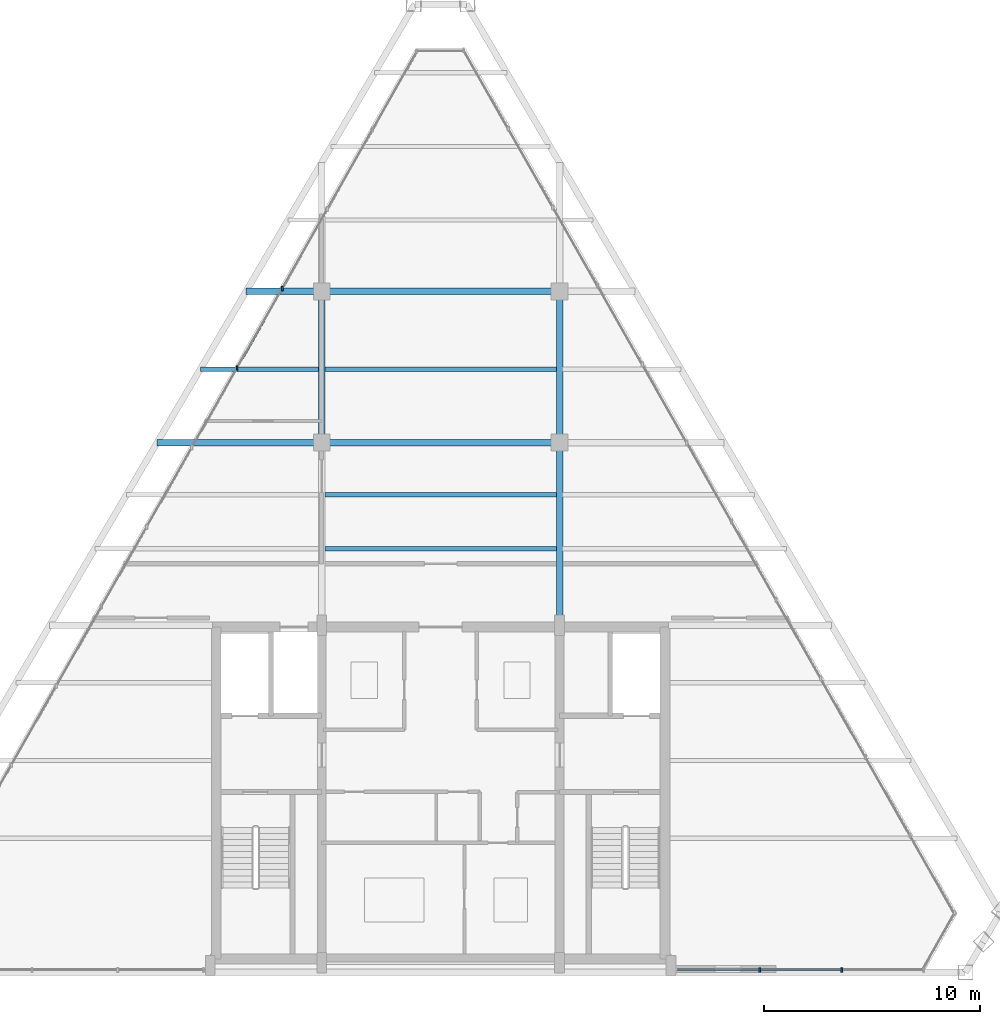
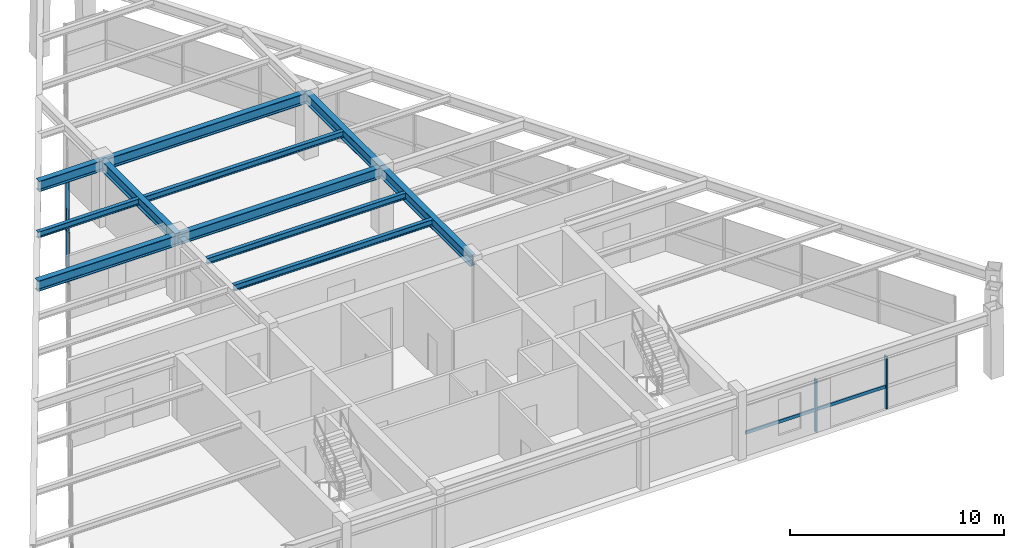
# One storey, part 5 of 12: 11 beams, 7 members, 2 elements without a shape of their own.
"""IFC4 building model written with IfcOpenShell, lengths in metres."""

from ifc_helpers import new_model, si_unit, direction, frame, origin, origin_2d, place, context, subcontext, project, spatial, rectangle, i_section, extrude, source, transform, mapped, material, material_profile, profile_set, type_object, type_shapes, element, aggregate, save


model = new_model("IFC4")

# Units and contexts
model_context = context("Model", 3, precision=1e-05, world=origin(), true_north=direction((0.0, 1.0)))
body_context = subcontext(model_context, "Body", "Model", "MODEL_VIEW")
ifc_project = project(units=[si_unit("LENGTHUNIT", "METRE"), si_unit("AREAUNIT", "SQUARE_METRE"), si_unit("VOLUMEUNIT", "CUBIC_METRE"), si_unit("PLANEANGLEUNIT", "RADIAN"), si_unit("MASSUNIT", "GRAM", prefix="KILO")], contexts=[model_context])

# Site, building, storey
site_placement = place(None, origin())
site = spatial("IfcSite", under=ifc_project, at=site_placement, CompositionType="ELEMENT")
building_placement = place(site_placement, origin())
building = spatial("IfcBuilding", under=site, at=building_placement, Name="Varnakhor Terracotta Tower", CompositionType="ELEMENT")
storey_placement = place(building_placement, frame((0.0, 0.0, 309.699951171875)))
storey = spatial("IfcBuildingStorey", under=building, at=storey_placement, Name="L81 Crown", CompositionType="ELEMENT", Elevation=309.699951171875)

# Beams
ifc_material_1 = material(Name="Steel S355", Category="steel")
ifc_material_profile_1 = material_profile(ifc_material_1, i_section(OverallWidth=0.300048828125, OverallDepth=0.60009765625, WebThickness=0.015380859375, FlangeThickness=0.030029296875, FilletRadius=0.01806640625, at=origin_2d()), Name="HEB600")
ifc_profile_set_1 = profile_set([ifc_material_profile_1], Name="Steel S355")
beam_type_1 = type_object("IfcBeamType", Name="BM-HEB600", PredefinedType="BEAM", material=ifc_profile_set_1)
shared_shape_1 = source(origin(), body_context, "Body", "SweptSolid", [
    extrude(i_section(OverallWidth=0.300048828125, OverallDepth=0.60009765625, WebThickness=0.015380859375, FlangeThickness=0.030029296875, FilletRadius=0.01806640625, at=origin_2d()), origin(), (0.0, 0.0, 1.0), 8.449951171875),
])
beam_1_placement = place(storey_placement, frame((5.5, 16.050048828125, 3.300048828125), z_axis=(0.0, 1.0, 0.0), x_axis=(-1.0, 0.0, 0.0)))
element("IfcBeam", 1, at=beam_1_placement, inside=storey, type_object=beam_type_1, Name="L81 Crown Primary Girder NS1-E", PredefinedType="BEAM", context=body_context, shape_type="MappedRepresentation", body=[
    mapped(shared_shape_1, transform((0.0, 0.0, 0.0), scale=1.0)),
])
shared_shape_2 = source(origin(), body_context, "Body", "SweptSolid", [
    extrude(i_section(OverallWidth=0.300048828125, OverallDepth=0.60009765625, WebThickness=0.015380859375, FlangeThickness=0.030029296875, FilletRadius=0.01806640625, at=origin_2d()), origin(), (0.0, 0.0, 1.0), 7.0),
])
for number, where, z_axis, x_axis, name in (
    (2, (-5.5, 24.5, 3.300048828125), (0.0, 1.0, 0.0), (-1.0, 0.0, 0.0), "L81 Crown Primary Girder NS2-W"),
    (3, (5.5, 24.5, 3.300048828125), (0.0, 1.0, 0.0), (-1.0, 0.0, 0.0), "L81 Crown Primary Girder NS2-E"),
):
    element("IfcBeam", number, at=place(storey_placement, frame(where, z_axis=z_axis, x_axis=x_axis)), inside=storey, type_object=beam_type_1, Name=name, PredefinedType="BEAM", context=body_context, shape_type="MappedRepresentation", body=[
        mapped(shared_shape_2, transform((0.0, 0.0, 0.0), scale=1.0)),
    ])
shared_shape_3 = source(origin(), body_context, "Body", "SweptSolid", [
    extrude(i_section(OverallWidth=0.300048828125, OverallDepth=0.60009765625, WebThickness=0.015380859375, FlangeThickness=0.030029296875, FilletRadius=0.01806640625, at=origin_2d()), origin(), (0.0, 0.0, 1.0), 7.61279296875),
])
beam_2_placement = place(storey_placement, frame((-13.11279296875, 24.5, 3.300048828125), z_axis=(1.0, 0.0, 0.0), x_axis=(0.0, 1.0, 0.0)))
element("IfcBeam", 4, at=beam_2_placement, inside=storey, type_object=beam_type_1, Name="L81 Crown Primary Girder EW2-1", PredefinedType="BEAM", context=body_context, shape_type="MappedRepresentation", body=[
    mapped(shared_shape_3, transform((0.0, 0.0, 0.0), scale=1.0)),
])
shared_shape_4 = source(origin(), body_context, "Body", "SweptSolid", [
    extrude(i_section(OverallWidth=0.300048828125, OverallDepth=0.60009765625, WebThickness=0.015380859375, FlangeThickness=0.030029296875, FilletRadius=0.01806640625, at=origin_2d()), origin(), (0.0, 0.0, 1.0), 11.0),
])
for number, where, z_axis, x_axis, name in (
    (5, (-5.5, 24.5, 3.300048828125), (1.0, 0.0, 0.0), (0.0, 1.0, 0.0), "L81 Crown Primary Girder EW2-2"),
    (6, (-5.5, 31.5, 3.300048828125), (1.0, 0.0, 0.0), (0.0, 1.0, 0.0), "L81 Crown Primary Girder EW3-2"),
):
    element("IfcBeam", number, at=place(storey_placement, frame(where, z_axis=z_axis, x_axis=x_axis)), inside=storey, type_object=beam_type_1, Name=name, PredefinedType="BEAM", context=body_context, shape_type="MappedRepresentation", body=[
        mapped(shared_shape_4, transform((0.0, 0.0, 0.0), scale=1.0)),
    ])
shared_shape_5 = source(origin(), body_context, "Body", "SweptSolid", [
    extrude(i_section(OverallWidth=0.300048828125, OverallDepth=0.60009765625, WebThickness=0.015380859375, FlangeThickness=0.030029296875, FilletRadius=0.01806640625, at=origin_2d()), origin(), (0.0, 0.0, 1.0), 3.497802734375),
])
beam_3_placement = place(storey_placement, frame((-8.997802734375, 31.5, 3.300048828125), z_axis=(1.0, 0.0, 0.0), x_axis=(0.0, 1.0, 0.0)))
element("IfcBeam", 7, at=beam_3_placement, inside=storey, type_object=beam_type_1, Name="L81 Crown Primary Girder EW3-1", PredefinedType="BEAM", context=body_context, shape_type="MappedRepresentation", body=[
    mapped(shared_shape_5, transform((0.0, 0.0, 0.0), scale=1.0)),
])
ifc_material_profile_2 = material_profile(ifc_material_1, i_section(OverallWidth=0.202880859375, OverallDepth=0.346923828125, WebThickness=0.0078125, FlangeThickness=0.013427734375, FilletRadius=0.01806640625, at=origin_2d()), Name="W14X43")
ifc_profile_set_2 = profile_set([ifc_material_profile_2], Name="Steel S355")
beam_type_2 = type_object("IfcBeamType", Name="JST-W14X43", PredefinedType="JOIST", material=ifc_profile_set_2)
shared_shape_6 = source(origin(), body_context, "Body", "SweptSolid", [
    extrude(i_section(OverallWidth=0.202880859375, OverallDepth=0.346923828125, WebThickness=0.0078125, FlangeThickness=0.013427734375, FilletRadius=0.01806640625, at=origin_2d()), origin(), (0.0, 0.0, 1.0), 10.7080078125),
])
for number, where, z_axis, x_axis, name in (
    (8, (-5.35400390625, 19.60009765625, 3.426513671875), (1.0, 0.0, 0.0), (0.0, 1.0, 0.0), "L81 Crown Composite Floor Joist 4-2"),
    (9, (-5.35400390625, 22.10009765625, 3.426513671875), (1.0, 0.0, 0.0), (0.0, 1.0, 0.0), "L81 Crown Composite Floor Joist 5-2"),
    (10, (-5.35400390625, 27.89990234375, 3.426513671875), (1.0, 0.0, 0.0), (0.0, 1.0, 0.0), "L81 Crown Composite Floor Joist 6-2"),
):
    element("IfcBeam", number, at=place(storey_placement, frame(where, z_axis=z_axis, x_axis=x_axis)), inside=storey, type_object=beam_type_2, Name=name, PredefinedType="JOIST", context=body_context, shape_type="MappedRepresentation", body=[
        mapped(shared_shape_6, transform((0.0, 0.0, 0.0), scale=1.0)),
    ])
shared_shape_7 = source(origin(), body_context, "Body", "SweptSolid", [
    extrude(i_section(OverallWidth=0.202880859375, OverallDepth=0.346923828125, WebThickness=0.0078125, FlangeThickness=0.013427734375, FilletRadius=0.01806640625, at=origin_2d()), origin(), (0.0, 0.0, 1.0), 5.468017578125),
])
beam_4_placement = place(storey_placement, frame((-11.114013671875, 27.89990234375, 3.426513671875), z_axis=(1.0, 0.0, 0.0), x_axis=(0.0, 1.0, 0.0)))
element("IfcBeam", 11, at=beam_4_placement, inside=storey, type_object=beam_type_2, Name="L81 Crown Composite Floor Joist 6-1", PredefinedType="JOIST", context=body_context, shape_type="MappedRepresentation", body=[
    mapped(shared_shape_7, transform((0.0, 0.0, 0.0), scale=1.0)),
])

# Curtain wall, members
ifc_material_2 = material(Name="Anodised Aluminium Curtain Wall System", Category="aluminium")
curtain_wall_type = type_object("IfcCurtainWallType", Name="CW-SYS-CROWN", PredefinedType="NOTDEFINED", material=ifc_material_2)
curtain_wall_1_placement = place(storey_placement, origin())
curtain_wall_1 = element("IfcCurtainWall", 12, at=curtain_wall_1_placement, inside=storey, type_object=curtain_wall_type, Name="L81 Crown Facet Curtain Wall 1", PredefinedType="NOTDEFINED")
ifc_material_3 = material(Name="Anodised Aluminium 6063-T6", Category="aluminium")
ifc_material_profile_3 = material_profile(ifc_material_3, rectangle(XDim=0.080078125, YDim=0.205078125, at=origin_2d()), Name="ALU MULLION 80x205")
ifc_profile_set_3 = profile_set([ifc_material_profile_3], Name="Anodised Aluminium 6063-T6")
member_type_1 = type_object("IfcMemberType", Name="CWM-06", PredefinedType="MULLION", material=ifc_profile_set_3)
shared_shape_8 = source(origin(), body_context, "Body", "SweptSolid", [
    extrude(rectangle(XDim=0.080078125, YDim=0.205078125, at=origin_2d()), origin(), (0.0, 0.0, 1.0), 2.97998046875),
])
type_shapes(member_type_1, [shared_shape_8])
member_1_placement = place(storey_placement, frame((-9.416015625, 27.95361328125, 0.0), z_axis=(0.0, 0.0, 1.0), x_axis=(1.0, 0.0, 0.0)))
member_1 = element("IfcMember", 13, at=member_1_placement, type_object=member_type_1, Name="L81 Crown Facet Curtain Wall 1 Mullion 8", PredefinedType="MULLION", context=body_context, shape_type="MappedRepresentation", body=[
    mapped(shared_shape_8, transform((0.0, 0.0, 0.0), scale=1.0)),
])
member_2_placement = place(storey_placement, frame((-7.3271484375, 31.6279296875, 0.0), z_axis=(0.0, 0.0, 1.0), x_axis=(1.0, 0.0, 0.0)))
member_2 = element("IfcMember", 14, at=member_2_placement, type_object=member_type_1, Name="L81 Crown Facet Curtain Wall 1 Mullion 9", PredefinedType="MULLION", context=body_context, shape_type="MappedRepresentation", body=[
    mapped(shared_shape_8, transform((0.0, 0.0, 0.0), scale=1.0)),
])

curtain_wall_2_placement = place(storey_placement, origin())
curtain_wall_2 = element("IfcCurtainWall", 15, at=curtain_wall_2_placement, inside=storey, type_object=curtain_wall_type, Name="L81 Crown South Wing Curtain Wall SSE", PredefinedType="NOTDEFINED")
member_3_placement = place(storey_placement, frame((18.547607421875, 0.1201171875, 0.0), z_axis=(0.0, 0.0, 1.0), x_axis=(1.0, 0.0, 0.0)))
member_3 = element("IfcMember", 16, at=member_3_placement, type_object=member_type_1, Name="L81 Crown South Wing Curtain Wall SSE Mullion 2", PredefinedType="MULLION", context=body_context, shape_type="MappedRepresentation", body=[
    mapped(shared_shape_8, transform((0.0, 0.0, 0.0), scale=1.0)),
])
member_4_placement = place(storey_placement, frame((14.7587890625, 0.1201171875, 0.0), z_axis=(0.0, 0.0, 1.0), x_axis=(1.0, 0.0, 0.0)))
member_4 = element("IfcMember", 17, at=member_4_placement, type_object=member_type_1, Name="L81 Crown South Wing Curtain Wall SSE Mullion 3", PredefinedType="MULLION", context=body_context, shape_type="MappedRepresentation", body=[
    mapped(shared_shape_8, transform((0.0, 0.0, 0.0), scale=1.0)),
])

# Member
ifc_material_profile_4 = material_profile(ifc_material_3, rectangle(XDim=0.080078125, YDim=0.179931640625, at=origin_2d()), Name="ALU TRANSOM 80x180")
ifc_profile_set_4 = profile_set([ifc_material_profile_4], Name="Anodised Aluminium 6063-T6")
member_type_2 = type_object("IfcMemberType", Name="CWT-06", PredefinedType="USERDEFINED", material=ifc_profile_set_4)
shared_shape_9 = source(origin(), body_context, "Body", "SweptSolid", [
    extrude(rectangle(XDim=0.080078125, YDim=0.179931640625, at=origin_2d()), origin(), (0.0, 0.0, 1.0), 4.2265625),
])
type_shapes(member_type_2, [shared_shape_9])
member_5_placement = place(storey_placement, frame((-9.416015625, 27.95361328125, 1.251708984375), z_axis=(0.494221770109, 0.86933586257, 0.0), x_axis=(-0.86933586257, 0.494221770109, 0.0)))
member_5 = element("IfcMember", 18, at=member_5_placement, type_object=member_type_2, Name="L81 Crown Facet Curtain Wall 1 Transom 8", ObjectType="TRANSOM", PredefinedType="USERDEFINED", context=body_context, shape_type="MappedRepresentation", body=[
    mapped(shared_shape_9, transform((0.0, 0.0, 0.0), scale=1.0)),
])

aggregate(curtain_wall_1, [member_1, member_5, member_2])

shared_shape_10 = source(origin(), body_context, "Body", "SweptSolid", [
    extrude(rectangle(XDim=0.080078125, YDim=0.179931640625, at=origin_2d()), origin(), (0.0, 0.0, 1.0), 3.788818359375),
])
member_6_placement = place(storey_placement, frame((18.547607421875, 0.1201171875, 1.251708984375), z_axis=(-1.0, 0.0, 0.0), x_axis=(0.0, -1.0, 0.0)))
member_6 = element("IfcMember", 19, at=member_6_placement, type_object=member_type_2, Name="L81 Crown South Wing Curtain Wall SSE Transom 2", ObjectType="TRANSOM", PredefinedType="USERDEFINED", context=body_context, shape_type="MappedRepresentation", body=[
    mapped(shared_shape_10, transform((0.0, 0.0, 0.0), scale=1.0)),
])

member_7_placement = place(storey_placement, frame((14.7587890625, 0.1201171875, 1.251708984375), z_axis=(-1.0, 0.0, 0.0), x_axis=(0.0, -1.0, 0.0)))
member_7 = element("IfcMember", 20, at=member_7_placement, type_object=member_type_2, Name="L81 Crown South Wing Curtain Wall SSE Transom 3", ObjectType="TRANSOM", PredefinedType="USERDEFINED", context=body_context, shape_type="MappedRepresentation", body=[
    mapped(shared_shape_10, transform((0.0, 0.0, 0.0), scale=1.0)),
])

aggregate(curtain_wall_2, [member_3, member_6, member_4, member_7])

save(model, "model.ifc")
